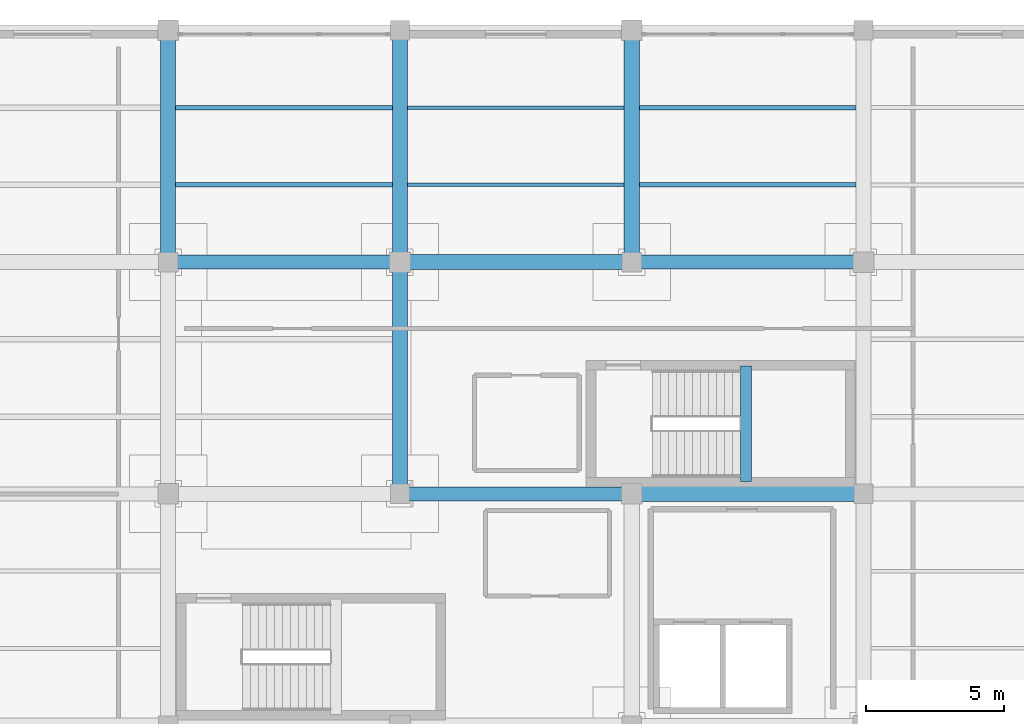
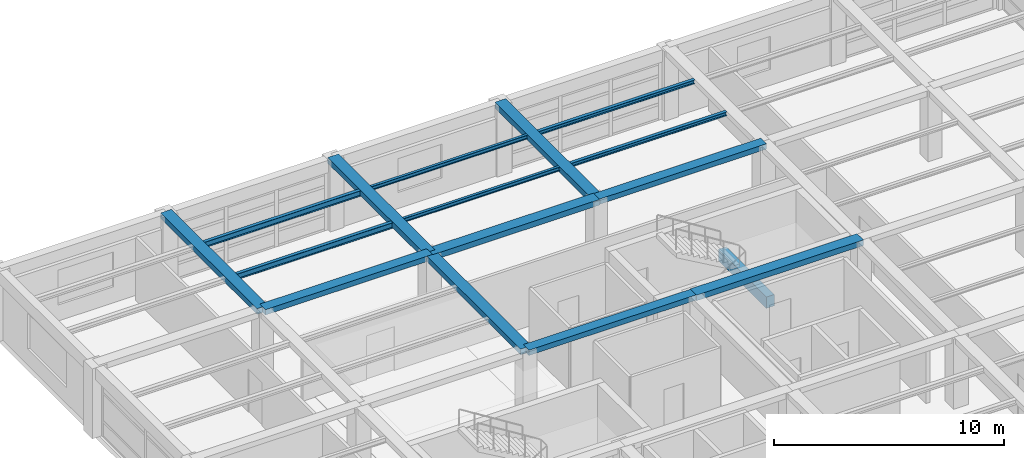
# One storey, part 9 of 26: 16 beams.
"""IFC4 building model written with IfcOpenShell, lengths in metres."""

from ifc_helpers import new_model, si_unit, direction, frame, origin, origin_2d, place, context, subcontext, project, spatial, rectangle, i_section, extrude, material, material_profile, profile_set, type_object, element, save


model = new_model("IFC4")

# Units and contexts
model_context = context("Model", 3, precision=1e-05, world=origin(), true_north=direction((0.0, 1.0)))
body_context = subcontext(model_context, "Body", "Model", "MODEL_VIEW")
ifc_project = project(units=[si_unit("LENGTHUNIT", "METRE"), si_unit("AREAUNIT", "SQUARE_METRE"), si_unit("VOLUMEUNIT", "CUBIC_METRE"), si_unit("PLANEANGLEUNIT", "RADIAN"), si_unit("MASSUNIT", "GRAM", prefix="KILO")], contexts=[model_context])

# Site, building, storey
site_placement = place(None, origin())
site = spatial("IfcSite", under=ifc_project, at=site_placement, CompositionType="ELEMENT")
building_placement = place(site_placement, origin())
building = spatial("IfcBuilding", under=site, at=building_placement, Name="Almacenes y Pasaje Nevantli", CompositionType="ELEMENT")
storey_placement = place(building_placement, frame((0.0, 0.0, 38.699951171875)))
storey = spatial("IfcBuildingStorey", under=building, at=storey_placement, Name="L09", CompositionType="ELEMENT", Elevation=38.699951171875)

# Beams
ifc_material_1 = material(Name="Concrete C35/45", Category="concrete")
ifc_material_profile_1 = material_profile(ifc_material_1, rectangle(XDim=0.39990234375, YDim=0.60009765625, at=origin_2d()), Name="RC-BM-400x600")
ifc_profile_set_1 = profile_set([ifc_material_profile_1], Name="Concrete C35/45")
beam_type_1 = type_object("IfcBeamType", Name="BM-RC-400x600", PredefinedType="SPANDREL", material=ifc_profile_set_1)
beam_1_placement = place(storey_placement, frame((138.5400390625, 84.449951171875, 1.5), z_axis=(0.0, 1.0, 0.0), x_axis=(-1.0, 0.0, 0.0)))
element("IfcBeam", 1, at=beam_1_placement, inside=storey, type_object=beam_type_1, Name="L09 Stair ST-02 Half-Landing Support Beam", PredefinedType="SPANDREL", context=body_context, shape_type="SweptSolid", body=[
    extrude(rectangle(XDim=0.39990234375, YDim=0.60009765625, at=origin_2d()), origin(), (0.0, 0.0, 1.0), 4.18994140625),
])
ifc_material_2 = material(Name="Concrete C35/45", Category="concrete")
ifc_material_profile_2 = material_profile(ifc_material_2, rectangle(XDim=0.5, YDim=0.280029296875, at=origin_2d()), Name="RC-BM-500x280")
ifc_profile_set_2 = profile_set([ifc_material_profile_2], Name="Concrete C35/45")
beam_type_2 = type_object("IfcBeamType", Name="BM-RC-500x280", PredefinedType="BEAM", material=ifc_profile_set_2)
for number, where, z_axis, x_axis, name in (
    (2, (126.0, 84.0, 3.580078125), (1.0, 0.0, 0.0), (0.0, 1.0, 0.0), "L09 East-West Reinforced Concrete Beam #3755"),
    (3, (117.60009765625, 92.39990234375, 3.580078125), (1.0, 0.0, 0.0), (0.0, 1.0, 0.0), "L09 East-West Reinforced Concrete Beam #3760"),
):
    element("IfcBeam", number, at=place(storey_placement, frame(where, z_axis=z_axis, x_axis=x_axis)), inside=storey, type_object=beam_type_2, Name=name, PredefinedType="BEAM", context=body_context, shape_type="SweptSolid", body=[
        extrude(rectangle(XDim=0.5, YDim=0.280029296875, at=origin_2d()), origin(), (0.0, 0.0, 1.0), 8.39990234375),
    ])
beam_2_placement = place(storey_placement, frame((134.39990234375, 92.39990234375, 3.580078125), z_axis=(1.0, 0.0, 0.0), x_axis=(0.0, 1.0, 0.0)))
element("IfcBeam", 4, at=beam_2_placement, inside=storey, type_object=beam_type_2, Name="L09 East-West Reinforced Concrete Beam #3762", PredefinedType="BEAM", context=body_context, shape_type="SweptSolid", body=[
    extrude(rectangle(XDim=0.5, YDim=0.280029296875, at=origin_2d()), origin(), (0.0, 0.0, 1.0), 8.400146484375),
])
ifc_material_3 = material(Name="Concrete C35/45", Category="concrete")
ifc_material_profile_3 = material_profile(ifc_material_3, rectangle(XDim=0.550048828125, YDim=0.300048828125, at=origin_2d()), Name="RC-BM-550x300")
ifc_profile_set_3 = profile_set([ifc_material_profile_3], Name="Concrete C35/45")
beam_type_3 = type_object("IfcBeamType", Name="BM-RC-550x300", PredefinedType="BEAM", material=ifc_profile_set_3)
beam_3_placement = place(storey_placement, frame((134.39990234375, 84.0, 3.570068359375), z_axis=(1.0, 0.0, 0.0), x_axis=(0.0, 1.0, 0.0)))
element("IfcBeam", 5, at=beam_3_placement, inside=storey, type_object=beam_type_3, Name="L09 East-West Reinforced Concrete Beam #3756", PredefinedType="BEAM", context=body_context, shape_type="SweptSolid", body=[
    extrude(rectangle(XDim=0.550048828125, YDim=0.300048828125, at=origin_2d()), origin(), (0.0, 0.0, 1.0), 8.400146484375),
])
beam_4_placement = place(storey_placement, frame((126.0, 92.39990234375, 3.570068359375), z_axis=(1.0, 0.0, 0.0), x_axis=(0.0, 1.0, 0.0)))
element("IfcBeam", 6, at=beam_4_placement, inside=storey, type_object=beam_type_3, Name="L09 East-West Reinforced Concrete Beam #3761", PredefinedType="BEAM", context=body_context, shape_type="SweptSolid", body=[
    extrude(rectangle(XDim=0.550048828125, YDim=0.300048828125, at=origin_2d()), origin(), (0.0, 0.0, 1.0), 8.39990234375),
])
beam_5_placement = place(storey_placement, frame((117.60009765625, 92.39990234375, 3.570068359375), z_axis=(0.0, 1.0, 0.0), x_axis=(-1.0, 0.0, 0.0)))
element("IfcBeam", 7, at=beam_5_placement, inside=storey, type_object=beam_type_3, Name="L09 North-South Reinforced Concrete Beam #3778", PredefinedType="BEAM", context=body_context, shape_type="SweptSolid", body=[
    extrude(rectangle(XDim=0.550048828125, YDim=0.300048828125, at=origin_2d()), origin(), (0.0, 0.0, 1.0), 8.400146484375),
])
beam_6_placement = place(storey_placement, frame((126.0, 84.0, 3.570068359375), z_axis=(0.0, 1.0, 0.0), x_axis=(-1.0, 0.0, 0.0)))
element("IfcBeam", 8, at=beam_6_placement, inside=storey, type_object=beam_type_3, Name="L09 North-South Reinforced Concrete Beam #3780", PredefinedType="BEAM", context=body_context, shape_type="SweptSolid", body=[
    extrude(rectangle(XDim=0.550048828125, YDim=0.300048828125, at=origin_2d()), origin(), (0.0, 0.0, 1.0), 8.39990234375),
])
for number, where, z_axis, x_axis, name in (
    (9, (126.0, 92.39990234375, 3.570068359375), (0.0, 1.0, 0.0), (-1.0, 0.0, 0.0), "L09 North-South Reinforced Concrete Beam #3781"),
    (10, (134.39990234375, 92.39990234375, 3.570068359375), (0.0, 1.0, 0.0), (-1.0, 0.0, 0.0), "L09 North-South Reinforced Concrete Beam #3784"),
):
    element("IfcBeam", number, at=place(storey_placement, frame(where, z_axis=z_axis, x_axis=x_axis)), inside=storey, type_object=beam_type_3, Name=name, PredefinedType="BEAM", context=body_context, shape_type="SweptSolid", body=[
        extrude(rectangle(XDim=0.550048828125, YDim=0.300048828125, at=origin_2d()), origin(), (0.0, 0.0, 1.0), 8.400146484375),
    ])
ifc_material_4 = material(Name="Steel ASTM A992", Category="steel")
ifc_material_profile_4 = material_profile(ifc_material_4, i_section(OverallWidth=0.134033203125, OverallDepth=0.2099609375, WebThickness=0.00634765625, FlangeThickness=0.01025390625, at=origin_2d()), Name="IR 203x31.3")
ifc_profile_set_4 = profile_set([ifc_material_profile_4], Name="Steel ASTM A992")
beam_type_4 = type_object("IfcBeamType", Name="BM-STL-IR-203x31p3", PredefinedType="JOIST", material=ifc_profile_set_4)
for number, where, z_axis, x_axis, name in (
    (11, (126.27490234375, 95.199951171875, 3.60693359375), (1.0, 0.0, 0.0), (0.0, 1.0, 0.0), "L09 Secondary Steel Floor Joist #1467"),
    (12, (126.27490234375, 98.0, 3.60693359375), (1.0, 0.0, 0.0), (0.0, 1.0, 0.0), "L09 Secondary Steel Floor Joist #1468"),
):
    element("IfcBeam", number, at=place(storey_placement, frame(where, z_axis=z_axis, x_axis=x_axis)), inside=storey, type_object=beam_type_4, Name=name, PredefinedType="JOIST", context=body_context, shape_type="SweptSolid", body=[
        extrude(i_section(OverallWidth=0.134033203125, OverallDepth=0.2099609375, WebThickness=0.00634765625, FlangeThickness=0.01025390625, at=origin_2d()), origin(), (0.0, 0.0, 1.0), 7.85009765625),
    ])
ifc_material_5 = material(Name="Steel ASTM A992", Category="steel")
ifc_material_profile_5 = material_profile(ifc_material_5, i_section(OverallWidth=0.166015625, OverallDepth=0.205078125, WebThickness=0.007080078125, FlangeThickness=0.01171875, at=origin_2d()), Name="IR 203x41.7")
ifc_profile_set_5 = profile_set([ifc_material_profile_5], Name="Steel ASTM A992")
beam_type_5 = type_object("IfcBeamType", Name="BM-STL-IR-203x41p7", PredefinedType="JOIST", material=ifc_profile_set_5)
for number, where, z_axis, x_axis, name in (
    (13, (134.675048828125, 95.199951171875, 3.609619140625), (1.0, 0.0, 0.0), (0.0, 1.0, 0.0), "L09 Secondary Steel Floor Joist #1471"),
    (14, (134.675048828125, 98.0, 3.609619140625), (1.0, 0.0, 0.0), (0.0, 1.0, 0.0), "L09 Secondary Steel Floor Joist #1472"),
):
    element("IfcBeam", number, at=place(storey_placement, frame(where, z_axis=z_axis, x_axis=x_axis)), inside=storey, type_object=beam_type_5, Name=name, PredefinedType="JOIST", context=body_context, shape_type="SweptSolid", body=[
        extrude(i_section(OverallWidth=0.166015625, OverallDepth=0.205078125, WebThickness=0.007080078125, FlangeThickness=0.01171875, at=origin_2d()), origin(), (0.0, 0.0, 1.0), 7.849853515625),
    ])
ifc_material_6 = material(Name="Steel ASTM A992", Category="steel")
ifc_material_profile_6 = material_profile(ifc_material_6, i_section(OverallWidth=0.1650390625, OverallDepth=0.306884765625, WebThickness=0.006591796875, FlangeThickness=0.01025390625, at=origin_2d()), Name="IR 305x44.6")
ifc_profile_set_6 = profile_set([ifc_material_profile_6], Name="Steel ASTM A992")
beam_type_6 = type_object("IfcBeamType", Name="BM-STL-IR-305x44p6", PredefinedType="JOIST", material=ifc_profile_set_6)
for number, where, z_axis, x_axis, name in (
    (15, (117.875, 95.199951171875, 3.55859375), (1.0, 0.0, 0.0), (0.0, 1.0, 0.0), "L09 Secondary Steel Floor Joist #1465"),
    (16, (117.875, 98.0, 3.55859375), (1.0, 0.0, 0.0), (0.0, 1.0, 0.0), "L09 Secondary Steel Floor Joist #1466"),
):
    element("IfcBeam", number, at=place(storey_placement, frame(where, z_axis=z_axis, x_axis=x_axis)), inside=storey, type_object=beam_type_6, Name=name, PredefinedType="JOIST", context=body_context, shape_type="SweptSolid", body=[
        extrude(i_section(OverallWidth=0.1650390625, OverallDepth=0.306884765625, WebThickness=0.006591796875, FlangeThickness=0.01025390625, at=origin_2d()), origin(), (0.0, 0.0, 1.0), 7.85009765625),
    ])

save(model, "model.ifc")
